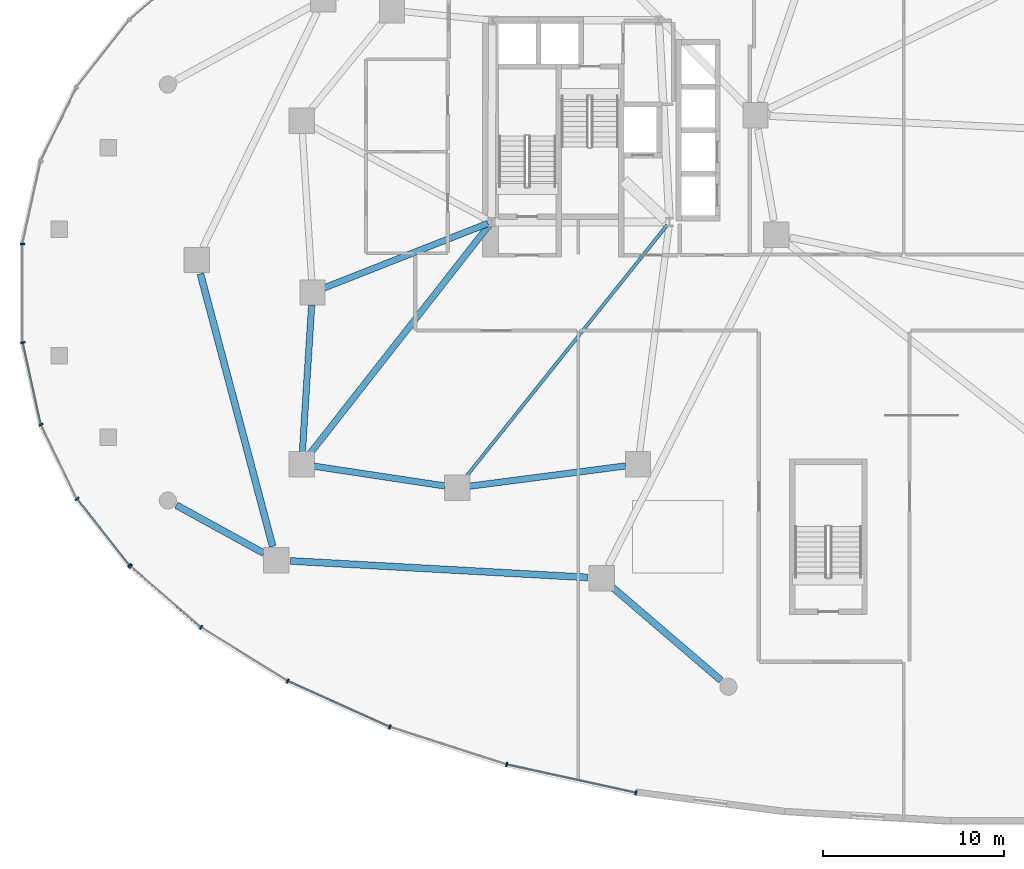
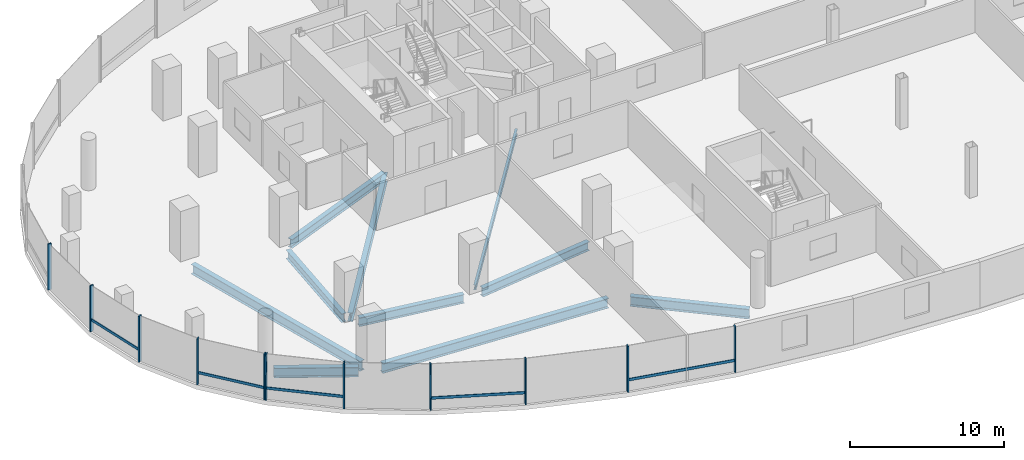
# One storey, part 3 of 18: 16 members, 10 beams, 2 elements without a shape of their own.
"""IFC4 building model written with IfcOpenShell, lengths in metres."""

from ifc_helpers import new_model, si_unit, direction, frame, origin, origin_2d, place, context, subcontext, project, spatial, rectangle, i_section, extrude, material, material_profile, profile_set, type_object, element, aggregate, save


model = new_model("IFC4")

# Units and contexts
model_context = context("Model", 3, precision=1e-05, world=origin(), true_north=direction((0.0, 1.0)))
body_context = subcontext(model_context, "Body", "Model", "MODEL_VIEW")
ifc_project = project(units=[si_unit("LENGTHUNIT", "METRE"), si_unit("AREAUNIT", "SQUARE_METRE"), si_unit("VOLUMEUNIT", "CUBIC_METRE"), si_unit("PLANEANGLEUNIT", "RADIAN"), si_unit("MASSUNIT", "GRAM", prefix="KILO"), si_unit("THERMODYNAMICTEMPERATUREUNIT", "KELVIN"), si_unit("POWERUNIT", "WATT")], contexts=[model_context])

# Site, building, storey
site_placement = place(None, origin())
site = spatial("IfcSite", under=ifc_project, at=site_placement, CompositionType="ELEMENT")
building_placement = place(site_placement, origin())
building = spatial("IfcBuilding", under=site, at=building_placement, Name="Cundina Bronze Exchange", CompositionType="ELEMENT")
storey_placement = place(building_placement, frame((0.0, 0.0, 12.0)))
storey = spatial("IfcBuildingStorey", under=building, at=storey_placement, Name="L02", CompositionType="ELEMENT", Elevation=12.0)

# Beams
ifc_material_1 = material(Name="Steel ASTM A992 Grade 50", Category="steel")
ifc_material_profile_1 = material_profile(ifc_material_1, i_section(OverallWidth=0.178955078125, OverallDepth=0.409912109375, WebThickness=0.0087890625, FlangeThickness=0.014404296875, FilletRadius=0.010986328125, at=origin_2d()), Name="W16X45", Category="steel")
ifc_profile_set_1 = profile_set([ifc_material_profile_1], Name="Steel ASTM A992 Grade 50")
beam_type_1 = type_object("IfcBeamType", Name="BM-JST-W16", PredefinedType="JOIST", material=ifc_profile_set_1)
beam_1_placement = place(storey_placement, frame((-21.577392578125, 3.740478515625, -0.554931640625), z_axis=(-0.624374458297, -0.781125172957, 0.0), x_axis=(0.781125172957, -0.624374458297, 0.0)))
element("IfcBeam", 1, at=beam_1_placement, inside=storey, type_object=beam_type_1, Name="L02 W Interior Core-to-Ring Joist 2", PredefinedType="JOIST", context=body_context, shape_type="SweptSolid", body=[
    extrude(i_section(OverallWidth=0.178955078125, OverallDepth=0.409912109375, WebThickness=0.0087890625, FlangeThickness=0.014404296875, FilletRadius=0.010986328125, at=origin_2d()), origin(), (0.0, 0.0, 1.0), 17.927001953125),
])
ifc_material_profile_2 = material_profile(ifc_material_1, i_section(OverallWidth=0.35498046875, OverallDepth=0.695068359375, WebThickness=0.015380859375, FlangeThickness=0.02490234375, FilletRadius=0.01806640625, at=origin_2d()), Name="W27X146", Category="steel")
ifc_profile_set_2 = profile_set([ifc_material_profile_2], Name="Steel ASTM A992 Grade 50")
beam_type_2 = type_object("IfcBeamType", Name="BM-RING-W27", PredefinedType="USERDEFINED", material=ifc_profile_set_2)
beam_2_placement = place(storey_placement, frame((-41.243408203125, -0.6865234375, -0.697509765625), z_axis=(-0.063020359641, -0.998012241544, 0.0), x_axis=(0.998012241544, -0.063020359641, 0.0)))
element("IfcBeam", 2, at=beam_2_placement, inside=storey, type_object=beam_type_2, Name="L02 W Inner Structural Ring Girder 04", ObjectType="GIRDER", PredefinedType="USERDEFINED", context=body_context, shape_type="SweptSolid", body=[
    extrude(i_section(OverallWidth=0.35498046875, OverallDepth=0.695068359375, WebThickness=0.015380859375, FlangeThickness=0.02490234375, FilletRadius=0.01806640625, at=origin_2d()), origin(), (0.0, 0.0, 1.0), 8.14306640625),
])
beam_3_placement = place(storey_placement, frame((-41.11962890625, -9.602783203125, -0.697509765625), z_axis=(0.988763496177, -0.149488289268, 0.0), x_axis=(0.149488289268, 0.988763496177, 0.0)))
element("IfcBeam", 3, at=beam_3_placement, inside=storey, type_object=beam_type_2, Name="L02 W Inner Structural Ring Girder 05", ObjectType="GIRDER", PredefinedType="USERDEFINED", context=body_context, shape_type="SweptSolid", body=[
    extrude(i_section(OverallWidth=0.35498046875, OverallDepth=0.695068359375, WebThickness=0.015380859375, FlangeThickness=0.02490234375, FilletRadius=0.01806640625, at=origin_2d()), origin(), (0.0, 0.0, 1.0), 7.321533203125),
])
beam_4_placement = place(storey_placement, frame((-32.517578125, -10.711181640625, -0.697509765625), z_axis=(0.991655975758, 0.128912473185, 0.0), x_axis=(-0.128912473185, 0.991655975758, 0.0)))
element("IfcBeam", 4, at=beam_4_placement, inside=storey, type_object=beam_type_2, Name="L02 W Inner Structural Ring Girder 06", ObjectType="GIRDER", PredefinedType="USERDEFINED", context=body_context, shape_type="SweptSolid", body=[
    extrude(i_section(OverallWidth=0.35498046875, OverallDepth=0.695068359375, WebThickness=0.015380859375, FlangeThickness=0.02490234375, FilletRadius=0.01806640625, at=origin_2d()), origin(), (0.0, 0.0, 1.0), 8.7080078125),
])
beam_5_placement = place(storey_placement, frame((-31.48974609375, 3.8251953125, -0.697509765625), z_axis=(-0.930410463214, -0.366519262715, 0.0), x_axis=(0.366519262715, -0.930410463214, 0.0)))
element("IfcBeam", 5, at=beam_5_placement, inside=storey, type_object=beam_type_2, Name="L02 W Core-to-Waist Tie Beam 1", ObjectType="GIRDER", PredefinedType="USERDEFINED", context=body_context, shape_type="SweptSolid", body=[
    extrude(i_section(OverallWidth=0.35498046875, OverallDepth=0.695068359375, WebThickness=0.015380859375, FlangeThickness=0.02490234375, FilletRadius=0.01806640625, at=origin_2d()), origin(), (0.0, 0.0, 1.0), 9.74853515625),
])
beam_6_placement = place(storey_placement, frame((-31.42578125, 3.739501953125, -0.697509765625), z_axis=(-0.616784362929, -0.787132167839, 0.0), x_axis=(0.787132167839, -0.616784362929, 0.0)))
element("IfcBeam", 6, at=beam_6_placement, inside=storey, type_object=beam_type_2, Name="L02 W Core-to-Waist Tie Beam 3", ObjectType="GIRDER", PredefinedType="USERDEFINED", context=body_context, shape_type="SweptSolid", body=[
    extrude(i_section(OverallWidth=0.35498046875, OverallDepth=0.695068359375, WebThickness=0.015380859375, FlangeThickness=0.02490234375, FilletRadius=0.01806640625, at=origin_2d()), origin(), (0.0, 0.0, 1.0), 16.132080078125),
])
ifc_material_profile_3 = material_profile(ifc_material_1, i_section(OverallWidth=0.381103515625, OverallDepth=0.77294921875, WebThickness=0.0166015625, FlangeThickness=0.027099609375, FilletRadius=0.01904296875, at=origin_2d()), Name="W30X173", Category="steel")
ifc_profile_set_3 = profile_set([ifc_material_profile_3], Name="Steel ASTM A992 Grade 50")
beam_type_3 = type_object("IfcBeamType", Name="BM-RING-W30", PredefinedType="USERDEFINED", material=ifc_profile_set_3)
beam_7_placement = place(storey_placement, frame((-48.728515625, -11.75927734375, -0.736572265625), z_axis=(0.876222443353, -0.481906868351, 0.0), x_axis=(0.481906868351, 0.876222443353, 0.0)))
element("IfcBeam", 7, at=beam_7_placement, inside=storey, type_object=beam_type_3, Name="L02 Podium Colonnade Tie Beam 02", ObjectType="GIRDER", PredefinedType="USERDEFINED", context=body_context, shape_type="SweptSolid", body=[
    extrude(i_section(OverallWidth=0.381103515625, OverallDepth=0.77294921875, WebThickness=0.0166015625, FlangeThickness=0.027099609375, FilletRadius=0.01904296875, at=origin_2d()), origin(), (0.0, 0.0, 1.0), 5.521484375),
])
beam_8_placement = place(storey_placement, frame((-18.6083984375, -21.449951171875, -0.736572265625), z_axis=(-0.759256602365, 0.650791373456, 0.0), x_axis=(-0.650791373456, -0.759256602365, 0.0)))
element("IfcBeam", 8, at=beam_8_placement, inside=storey, type_object=beam_type_3, Name="L02 Podium Colonnade Tie Beam 06", ObjectType="GIRDER", PredefinedType="USERDEFINED", context=body_context, shape_type="SweptSolid", body=[
    extrude(i_section(OverallWidth=0.381103515625, OverallDepth=0.77294921875, WebThickness=0.0166015625, FlangeThickness=0.027099609375, FilletRadius=0.01904296875, at=origin_2d()), origin(), (0.0, 0.0, 1.0), 7.893798828125),
])
beam_9_placement = place(storey_placement, frame((-47.398193359375, 1.038330078125, -0.736572265625), z_axis=(0.256219519418, -0.966618620692, 0.0), x_axis=(0.966618620692, 0.256219519418, 0.0)))
element("IfcBeam", 9, at=beam_9_placement, inside=storey, type_object=beam_type_3, Name="L02 W Podium Ring Girder 08", ObjectType="GIRDER", PredefinedType="USERDEFINED", context=body_context, shape_type="SweptSolid", body=[
    extrude(i_section(OverallWidth=0.381103515625, OverallDepth=0.77294921875, WebThickness=0.0166015625, FlangeThickness=0.027099609375, FilletRadius=0.01904296875, at=origin_2d()), origin(), (0.0, 0.0, 1.0), 15.597412109375),
])
beam_10_placement = place(storey_placement, frame((-42.4130859375, -14.84375, -0.736572265625), z_axis=(0.998460261881, -0.05547166343, 0.0), x_axis=(0.05547166343, 0.998460261881, 0.0)))
element("IfcBeam", 10, at=beam_10_placement, inside=storey, type_object=beam_type_3, Name="L02 W Podium Ring Girder 10", ObjectType="GIRDER", PredefinedType="USERDEFINED", context=body_context, shape_type="SweptSolid", body=[
    extrude(i_section(OverallWidth=0.381103515625, OverallDepth=0.77294921875, WebThickness=0.0166015625, FlangeThickness=0.027099609375, FilletRadius=0.01904296875, at=origin_2d()), origin(), (0.0, 0.0, 1.0), 16.45166015625),
])

# Curtain wall, members
ifc_material_2 = material(Name="Anodised Bronze Aluminium 6063-T6", Category="aluminium")
curtain_wall_type = type_object("IfcCurtainWallType", Name="CWS-POD-CONC", PredefinedType="NOTDEFINED", material=ifc_material_2)
curtain_wall_1_placement = place(storey_placement, origin())
curtain_wall_1 = element("IfcCurtainWall", 11, at=curtain_wall_1_placement, inside=storey, type_object=curtain_wall_type, Name="L02 CW-01 Curtain Wall Run CWR-L02-04", PredefinedType="NOTDEFINED")
ifc_material_profile_4 = material_profile(ifc_material_2, rectangle(XDim=0.0849609375, YDim=0.25, at=origin_2d()), Name="AL85X250", Category="aluminium")
ifc_profile_set_4 = profile_set([ifc_material_profile_4], Name="Anodised Bronze Aluminium 6063-T6")
member_type_1 = type_object("IfcMemberType", Name="CWM-MUL-250", PredefinedType="MULLION", material=ifc_profile_set_4)
member_1_placement = place(storey_placement, frame((-57.22900390625, 2.680419921875, 0.0), z_axis=(0.0, 0.0, 1.0), x_axis=(0.0, -1.0, 0.0)))
member_1 = element("IfcMember", 12, at=member_1_placement, type_object=member_type_1, Name="CW-01 Mullion 2", PredefinedType="MULLION", context=body_context, shape_type="SweptSolid", body=[
    extrude(rectangle(XDim=0.0849609375, YDim=0.25, at=origin_2d()), origin(), (0.0, 0.0, 1.0), 3.64990234375),
])
member_2_placement = place(storey_placement, frame((-57.219482421875, -2.76708984375, 0.0), z_axis=(0.0, 0.0, 1.0), x_axis=(0.214564862428, -0.976709741843, 0.0)))
member_2 = element("IfcMember", 13, at=member_2_placement, type_object=member_type_1, Name="CW-01 Mullion 3", PredefinedType="MULLION", context=body_context, shape_type="SweptSolid", body=[
    extrude(rectangle(XDim=0.0849609375, YDim=0.25, at=origin_2d()), origin(), (0.0, 0.0, 1.0), 3.64990234375),
])
member_3_placement = place(storey_placement, frame((-56.211669921875, -7.311279296875, 0.0), z_axis=(0.0, 0.0, 1.0), x_axis=(0.435702445497, -0.900090761528, 0.0)))
member_3 = element("IfcMember", 14, at=member_3_placement, type_object=member_type_1, Name="CW-01 Mullion 4", PredefinedType="MULLION", context=body_context, shape_type="SweptSolid", body=[
    extrude(rectangle(XDim=0.0849609375, YDim=0.25, at=origin_2d()), origin(), (0.0, 0.0, 1.0), 3.64990234375),
])
member_4_placement = place(storey_placement, frame((-54.21728515625, -11.408935546875, 0.0), z_axis=(0.0, 0.0, 1.0), x_axis=(0.61950505541, -0.784992666412, 0.0)))
member_4 = element("IfcMember", 15, at=member_4_placement, type_object=member_type_1, Name="CW-01 Mullion 5", PredefinedType="MULLION", context=body_context, shape_type="SweptSolid", body=[
    extrude(rectangle(XDim=0.0849609375, YDim=0.25, at=origin_2d()), origin(), (0.0, 0.0, 1.0), 3.64990234375),
])
member_5_placement = place(storey_placement, frame((-51.320068359375, -15.08056640625, 0.0), z_axis=(0.0, 0.0, 1.0), x_axis=(0.61950505541, -0.784992666412, 0.0)))
member_5 = element("IfcMember", 16, at=member_5_placement, type_object=member_type_1, Name="CW-01 End Mullion", PredefinedType="MULLION", context=body_context, shape_type="SweptSolid", body=[
    extrude(rectangle(XDim=0.0849609375, YDim=0.25, at=origin_2d()), origin(), (0.0, 0.0, 1.0), 3.64990234375),
])

curtain_wall_2_placement = place(storey_placement, origin())
curtain_wall_2 = element("IfcCurtainWall", 17, at=curtain_wall_2_placement, inside=storey, type_object=curtain_wall_type, Name="L02 CW-01 Curtain Wall Run CWR-L02-05", PredefinedType="NOTDEFINED")
member_6_placement = place(storey_placement, frame((-51.257080078125, -15.146484375, 0.0), z_axis=(0.0, 0.0, 1.0), x_axis=(0.755510544084, -0.6551364879, 0.0)))
member_6 = element("IfcMember", 18, at=member_6_placement, type_object=member_type_1, Name="CW-01 Mullion 1", PredefinedType="MULLION", context=body_context, shape_type="SweptSolid", body=[
    extrude(rectangle(XDim=0.0849609375, YDim=0.25, at=origin_2d()), origin(), (0.0, 0.0, 1.0), 3.64990234375),
])
member_7_placement = place(storey_placement, frame((-47.35986328125, -18.515380859375, 0.0), z_axis=(0.0, 0.0, 1.0), x_axis=(0.849340400263, -0.527845511945, 0.0)))
member_7 = element("IfcMember", 19, at=member_7_placement, type_object=member_type_1, Name="CW-01 Mullion 2", PredefinedType="MULLION", context=body_context, shape_type="SweptSolid", body=[
    extrude(rectangle(XDim=0.0849609375, YDim=0.25, at=origin_2d()), origin(), (0.0, 0.0, 1.0), 3.64990234375),
])
member_8_placement = place(storey_placement, frame((-42.566162109375, -21.4873046875, 0.0), z_axis=(0.0, 0.0, 1.0), x_axis=(0.911618620107, -0.411037092578, 0.0)))
member_8 = element("IfcMember", 20, at=member_8_placement, type_object=member_type_1, Name="CW-01 Mullion 3", PredefinedType="MULLION", context=body_context, shape_type="SweptSolid", body=[
    extrude(rectangle(XDim=0.0849609375, YDim=0.25, at=origin_2d()), origin(), (0.0, 0.0, 1.0), 3.64990234375),
])
member_9_placement = place(storey_placement, frame((-36.91796875, -24.027099609375, 0.0), z_axis=(0.0, 0.0, 1.0), x_axis=(0.951862260753, -0.306526078098, 0.0)))
member_9 = element("IfcMember", 21, at=member_9_placement, type_object=member_type_1, Name="CW-01 Mullion 4", PredefinedType="MULLION", context=body_context, shape_type="SweptSolid", body=[
    extrude(rectangle(XDim=0.0849609375, YDim=0.25, at=origin_2d()), origin(), (0.0, 0.0, 1.0), 3.64990234375),
])
member_10_placement = place(storey_placement, frame((-30.456787109375, -26.10302734375, 0.0), z_axis=(0.0, 0.0, 1.0), x_axis=(0.976896613081, -0.213712440794, 0.0)))
member_10 = element("IfcMember", 22, at=member_10_placement, type_object=member_type_1, Name="CW-01 Mullion 5", PredefinedType="MULLION", context=body_context, shape_type="SweptSolid", body=[
    extrude(rectangle(XDim=0.0849609375, YDim=0.25, at=origin_2d()), origin(), (0.0, 0.0, 1.0), 3.64990234375),
])
member_11_placement = place(storey_placement, frame((-23.30810546875, -27.66650390625, 0.0), z_axis=(0.0, 0.0, 1.0), x_axis=(0.976896613081, -0.213712440794, 0.0)))
member_11 = element("IfcMember", 23, at=member_11_placement, type_object=member_type_1, Name="CW-01 End Mullion", PredefinedType="MULLION", context=body_context, shape_type="SweptSolid", body=[
    extrude(rectangle(XDim=0.0849609375, YDim=0.25, at=origin_2d()), origin(), (0.0, 0.0, 1.0), 3.64990234375),
])

# Member
ifc_material_profile_5 = material_profile(ifc_material_2, rectangle(XDim=0.080078125, YDim=0.2099609375, at=origin_2d()), Name="AL80X210", Category="aluminium")
ifc_profile_set_5 = profile_set([ifc_material_profile_5], Name="Anodised Bronze Aluminium 6063-T6")
member_type_2 = type_object("IfcMemberType", Name="CWM-TRN-210", PredefinedType="USERDEFINED", material=ifc_profile_set_5)
member_12_placement = place(storey_placement, frame((-57.209716796875, -2.812744140625, 0.919921875), z_axis=(0.214548972216, -0.97671323249, 0.0), x_axis=(0.97671323249, 0.214548972216, 0.0)))
member_12 = element("IfcMember", 24, at=member_12_placement, type_object=member_type_2, Name="CW-01 Spandrel Transom 3", ObjectType="TRANSOM", PredefinedType="USERDEFINED", context=body_context, shape_type="SweptSolid", body=[
    extrude(rectangle(XDim=0.080078125, YDim=0.2099609375, at=origin_2d()), origin(), (0.0, 0.0, 1.0), 4.571044921875),
])

member_13_placement = place(storey_placement, frame((-54.1884765625, -11.445556640625, 0.919921875), z_axis=(0.619471571466, -0.785019090306, 0.0), x_axis=(0.785019090306, 0.619471571466, 0.0)))
member_13 = element("IfcMember", 25, at=member_13_placement, type_object=member_type_2, Name="CW-01 Spandrel Transom 5", ObjectType="TRANSOM", PredefinedType="USERDEFINED", context=body_context, shape_type="SweptSolid", body=[
    extrude(rectangle(XDim=0.080078125, YDim=0.2099609375, at=origin_2d()), origin(), (0.0, 0.0, 1.0), 4.58349609375),
])

aggregate(curtain_wall_1, [member_1, member_2, member_12, member_3, member_4, member_5, member_13])

member_14_placement = place(storey_placement, frame((-51.2216796875, -15.177001953125, 0.919921875), z_axis=(0.755563201238, -0.655075758164, 0.0), x_axis=(0.655075758164, 0.755563201238, 0.0)))
member_14 = element("IfcMember", 26, at=member_14_placement, type_object=member_type_2, Name="CW-01 Spandrel Transom 1", ObjectType="TRANSOM", PredefinedType="USERDEFINED", context=body_context, shape_type="SweptSolid", body=[
    extrude(rectangle(XDim=0.080078125, YDim=0.2099609375, at=origin_2d()), origin(), (0.0, 0.0, 1.0), 5.055908203125),
])

member_15_placement = place(storey_placement, frame((-42.5234375, -21.506591796875, 0.919921875), z_axis=(0.911656553379, -0.410952951908, 0.0), x_axis=(0.410952951908, 0.911656553379, 0.0)))
member_15 = element("IfcMember", 27, at=member_15_placement, type_object=member_type_2, Name="CW-01 Spandrel Transom 3", ObjectType="TRANSOM", PredefinedType="USERDEFINED", context=body_context, shape_type="SweptSolid", body=[
    extrude(rectangle(XDim=0.080078125, YDim=0.2099609375, at=origin_2d()), origin(), (0.0, 0.0, 1.0), 6.090576171875),
])

member_16_placement = place(storey_placement, frame((-30.4111328125, -26.113037109375, 0.919921875), z_axis=(0.976909937501, -0.213651524713, 0.0), x_axis=(0.213651524713, 0.976909937501, 0.0)))
member_16 = element("IfcMember", 28, at=member_16_placement, type_object=member_type_2, Name="CW-01 Spandrel Transom 5", ObjectType="TRANSOM", PredefinedType="USERDEFINED", context=body_context, shape_type="SweptSolid", body=[
    extrude(rectangle(XDim=0.080078125, YDim=0.2099609375, at=origin_2d()), origin(), (0.0, 0.0, 1.0), 7.22412109375),
])

aggregate(curtain_wall_2, [member_6, member_14, member_7, member_8, member_15, member_9, member_10, member_11, member_16])

save(model, "model.ifc")
